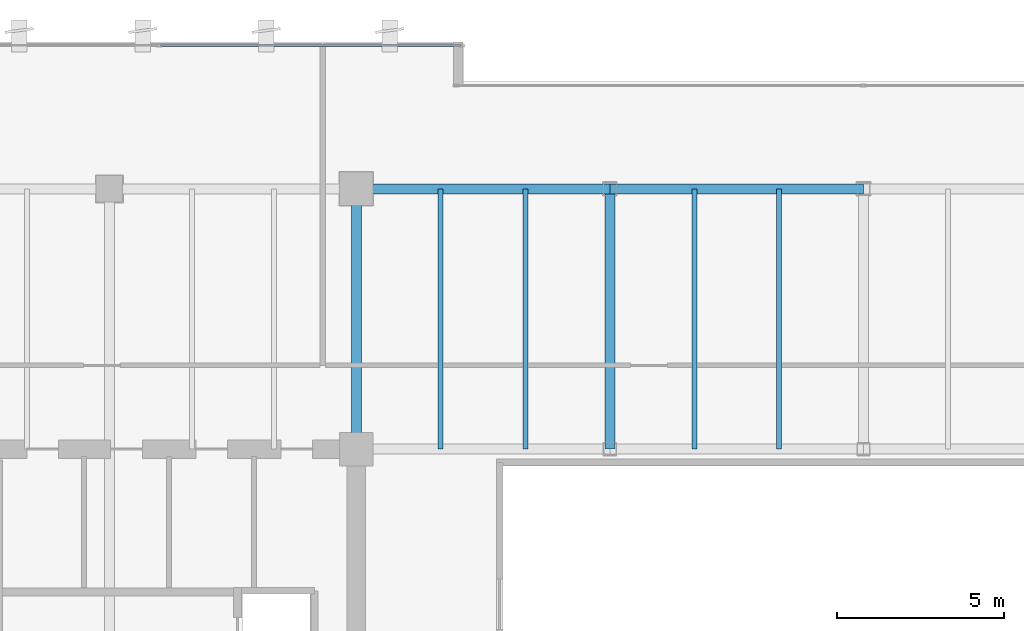
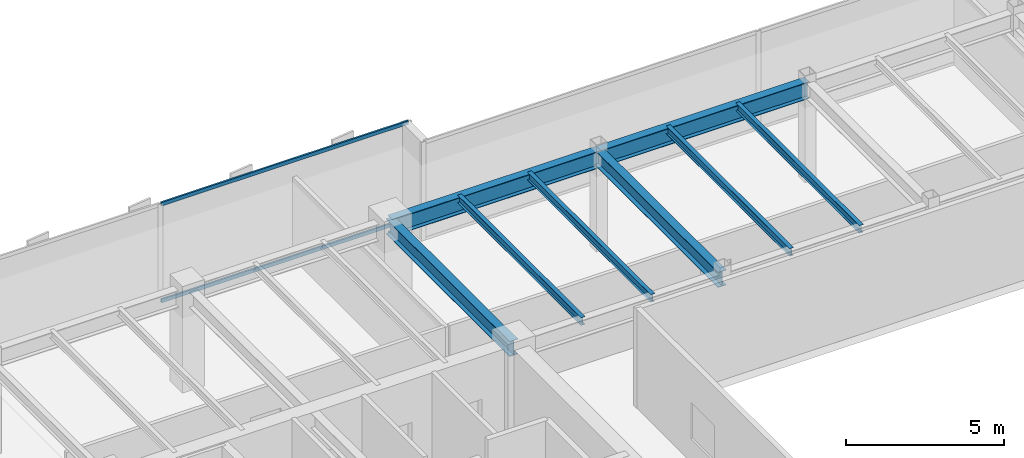
# One storey, part 16 of 36: 8 beams, 2 members, 1 element without a shape of its own.
"""IFC4 building model written with IfcOpenShell, lengths in metres."""

from ifc_helpers import new_model, si_unit, direction, frame, origin, origin_2d, place, context, subcontext, project, spatial, hollow_rectangle, i_section, extrude, source, transform, mapped, material, layer, layer_set, material_profile, profile_set, type_object, type_shapes, element, aggregate, save


model = new_model("IFC4")

# Units and contexts
model_context = context("Model", 3, precision=1e-05, world=origin(), true_north=direction((0.0, 1.0)))
body_context = subcontext(model_context, "Body", "Model", "MODEL_VIEW")
ifc_project = project(units=[si_unit("LENGTHUNIT", "METRE"), si_unit("AREAUNIT", "SQUARE_METRE"), si_unit("VOLUMEUNIT", "CUBIC_METRE"), si_unit("PLANEANGLEUNIT", "RADIAN"), si_unit("MASSUNIT", "GRAM", prefix="KILO")], contexts=[model_context])

# Site, building, storey
site_placement = place(None, origin())
site = spatial("IfcSite", under=ifc_project, at=site_placement, CompositionType="ELEMENT")
building_placement = place(site_placement, origin())
building = spatial("IfcBuilding", under=site, at=building_placement, Name="Haelvirn Gate Laboratories", CompositionType="ELEMENT")
storey_placement = place(building_placement, frame((0.0, 0.0, 242.39990234375)))
storey = spatial("IfcBuildingStorey", under=building, at=storey_placement, Name="L58", CompositionType="ELEMENT", Elevation=242.39990234375)

# Beams
ifc_material_1 = material(Name="Steel SM355", Category="steel")
ifc_material_profile_1 = material_profile(ifc_material_1, i_section(OverallWidth=0.14990234375, OverallDepth=0.300048828125, WebThickness=0.006591796875, FlangeThickness=0.009033203125, at=origin_2d()), Name="H-300x150x6.5x9")
ifc_profile_set_1 = profile_set([ifc_material_profile_1], Name="Steel SM355")
beam_type_1 = type_object("IfcBeamType", Name="BM-J-300", PredefinedType="JOIST", material=ifc_profile_set_1)
shared_shape_1 = source(origin(), body_context, "Body", "SweptSolid", [
    extrude(i_section(OverallWidth=0.14990234375, OverallDepth=0.300048828125, WebThickness=0.006591796875, FlangeThickness=0.009033203125, at=origin_2d()), origin(), (0.0, 0.0, 1.0), 7.800048828125),
])
type_shapes(beam_type_1, [shared_shape_1])
for number, where, z_axis, x_axis, name in (
    (1, (24.72998046875, 33.800048828125, 3.650146484375), (0.0, 1.0, 0.0), (-1.0, 0.0, 0.0), "L58 Composite Lab Joist North X24.73"),
    (2, (27.27001953125, 33.800048828125, 3.650146484375), (0.0, 1.0, 0.0), (-1.0, 0.0, 0.0), "L58 Composite Lab Joist North X27.27"),
    (3, (32.330078125, 33.800048828125, 3.650146484375), (0.0, 1.0, 0.0), (-1.0, 0.0, 0.0), "L58 Composite Lab Joist North X32.33"),
    (4, (34.8701171875, 33.800048828125, 3.650146484375), (0.0, 1.0, 0.0), (-1.0, 0.0, 0.0), "L58 Composite Lab Joist North X34.87"),
):
    element("IfcBeam", number, at=place(storey_placement, frame(where, z_axis=z_axis, x_axis=x_axis)), inside=storey, type_object=beam_type_1, Name=name, PredefinedType="JOIST", context=body_context, shape_type="MappedRepresentation", body=[
        mapped(shared_shape_1, transform((0.0, 0.0, 0.0), scale=1.0)),
    ])
ifc_material_profile_2 = material_profile(ifc_material_1, i_section(OverallWidth=0.300048828125, OverallDepth=0.587890625, WebThickness=0.011962890625, FlangeThickness=0.02001953125, at=origin_2d()), Name="H-588x300x12x20")
ifc_profile_set_2 = profile_set([ifc_material_profile_2], Name="Steel SM355")
beam_type_2 = type_object("IfcBeamType", Name="BM-G-588", PredefinedType="BEAM", material=ifc_profile_set_2)
shared_shape_2 = source(origin(), body_context, "Body", "SweptSolid", [
    extrude(i_section(OverallWidth=0.300048828125, OverallDepth=0.587890625, WebThickness=0.011962890625, FlangeThickness=0.02001953125, at=origin_2d()), origin(), (0.0, 0.0, 1.0), 7.800048828125),
])
type_shapes(beam_type_2, [shared_shape_2])
for number, where, z_axis, x_axis, name in (
    (5, (22.199951171875, 33.800048828125, 3.506103515625), (0.0, 1.0, 0.0), (-1.0, 0.0, 0.0), "L58 Frame Girder X22.2 (33.8-41.6)"),
    (6, (29.800048828125, 33.800048828125, 3.506103515625), (0.0, 1.0, 0.0), (-1.0, 0.0, 0.0), "L58 Frame Girder X29.8 (33.8-41.6)"),
):
    element("IfcBeam", number, at=place(storey_placement, frame(where, z_axis=z_axis, x_axis=x_axis)), inside=storey, type_object=beam_type_2, Name=name, PredefinedType="BEAM", context=body_context, shape_type="MappedRepresentation", body=[
        mapped(shared_shape_2, transform((0.0, 0.0, 0.0), scale=1.0)),
    ])
ifc_material_profile_3 = material_profile(ifc_material_1, i_section(OverallWidth=0.300048828125, OverallDepth=0.64990234375, WebThickness=0.012939453125, FlangeThickness=0.02197265625, at=origin_2d()), Name="H-650x300x13x22")
ifc_profile_set_3 = profile_set([ifc_material_profile_3], Name="Steel SM355")
beam_type_3 = type_object("IfcBeamType", Name="BM-G-650", PredefinedType="BEAM", material=ifc_profile_set_3)
shared_shape_3 = source(origin(), body_context, "Body", "SweptSolid", [
    extrude(i_section(OverallWidth=0.300048828125, OverallDepth=0.64990234375, WebThickness=0.012939453125, FlangeThickness=0.02197265625, at=origin_2d()), origin(), (0.0, 0.0, 1.0), 7.60009765625),
])
beam_1_placement = place(storey_placement, frame((22.199951171875, 41.60009765625, 3.47509765625), z_axis=(1.0, 0.0, 0.0), x_axis=(0.0, 1.0, 0.0)))
element("IfcBeam", 7, at=beam_1_placement, inside=storey, type_object=beam_type_3, Name="L58 Primary Girder Y41.6 (22.2-29.8)", PredefinedType="BEAM", context=body_context, shape_type="MappedRepresentation", body=[
    mapped(shared_shape_3, transform((0.0, 0.0, 0.0), scale=1.0)),
])
shared_shape_4 = source(origin(), body_context, "Body", "SweptSolid", [
    extrude(i_section(OverallWidth=0.300048828125, OverallDepth=0.64990234375, WebThickness=0.012939453125, FlangeThickness=0.02197265625, at=origin_2d()), origin(), (0.0, 0.0, 1.0), 7.599853515625),
])
type_shapes(beam_type_3, [shared_shape_3, shared_shape_4])
beam_2_placement = place(storey_placement, frame((29.800048828125, 41.60009765625, 3.47509765625), z_axis=(1.0, 0.0, 0.0), x_axis=(0.0, 1.0, 0.0)))
element("IfcBeam", 8, at=beam_2_placement, inside=storey, type_object=beam_type_3, Name="L58 Primary Girder Y41.6 (29.8-37.4)", PredefinedType="BEAM", context=body_context, shape_type="MappedRepresentation", body=[
    mapped(shared_shape_4, transform((0.0, 0.0, 0.0), scale=1.0)),
])

# Curtain wall, members
ifc_material_2 = material(Name="Anodised bronze unitised aluminium & triple low-E glass", Category="aluminium")
ifc_layer = layer(ifc_material_2, 0.176025390625, Name="CW-SYS-4")
ifc_layer_set = layer_set([ifc_layer], Name="Anodised bronze unitised aluminium & triple low-E glass")
curtain_wall_type = type_object("IfcCurtainWallType", Name="CW-SYS-4", PredefinedType="NOTDEFINED", material=ifc_layer_set)
curtain_wall_placement = place(storey_placement, origin())
curtain_wall = element("IfcCurtainWall", 9, at=curtain_wall_placement, inside=storey, type_object=curtain_wall_type, Name="L58 Unitised Curtain Wall CW-L58-P0-E14-1", PredefinedType="NOTDEFINED")
ifc_material_3 = material(Name="Extruded aluminium 6063-T6 (anodised bronze)", Category="aluminium")
ifc_material_profile_4 = material_profile(ifc_material_3, hollow_rectangle(XDim=0.06494140625, YDim=0.139892578125, WallThickness=0.00390625, at=origin_2d()), Name="CWT-140x65x4")
ifc_profile_set_4 = profile_set([ifc_material_profile_4], Name="Extruded aluminium 6063-T6 (anodised bronze)")
member_type = type_object("IfcMemberType", Name="CWT-T140", PredefinedType="USERDEFINED", material=ifc_profile_set_4)
shared_shape_5 = source(origin(), body_context, "Body", "SweptSolid", [
    extrude(hollow_rectangle(XDim=0.06494140625, YDim=0.139892578125, WallThickness=0.00390625, at=origin_2d()), origin(), (0.0, 0.0, 1.0), 8.9951171875),
])
type_shapes(member_type, [shared_shape_5])
member_1_placement = place(storey_placement, frame((16.3349609375, 45.89990234375, 0.03271484375), z_axis=(1.0, 0.0, 0.0), x_axis=(0.0, 1.0, 0.0)))
member_1 = element("IfcMember", 10, at=member_1_placement, type_object=member_type, Name="CW4 transom 2.1", ObjectType="TRANSOM", PredefinedType="USERDEFINED", context=body_context, shape_type="MappedRepresentation", body=[
    mapped(shared_shape_5, transform((0.0, 0.0, 0.0), scale=1.0)),
])
member_2_placement = place(storey_placement, frame((16.3349609375, 45.89990234375, 3.767578125), z_axis=(1.0, 0.0, 0.0), x_axis=(0.0, 1.0, 0.0)))
member_2 = element("IfcMember", 11, at=member_2_placement, type_object=member_type, Name="CW4 transom 2.2", ObjectType="TRANSOM", PredefinedType="USERDEFINED", context=body_context, shape_type="MappedRepresentation", body=[
    mapped(shared_shape_5, transform((0.0, 0.0, 0.0), scale=1.0)),
])
aggregate(curtain_wall, [member_1, member_2])

save(model, "model.ifc")
